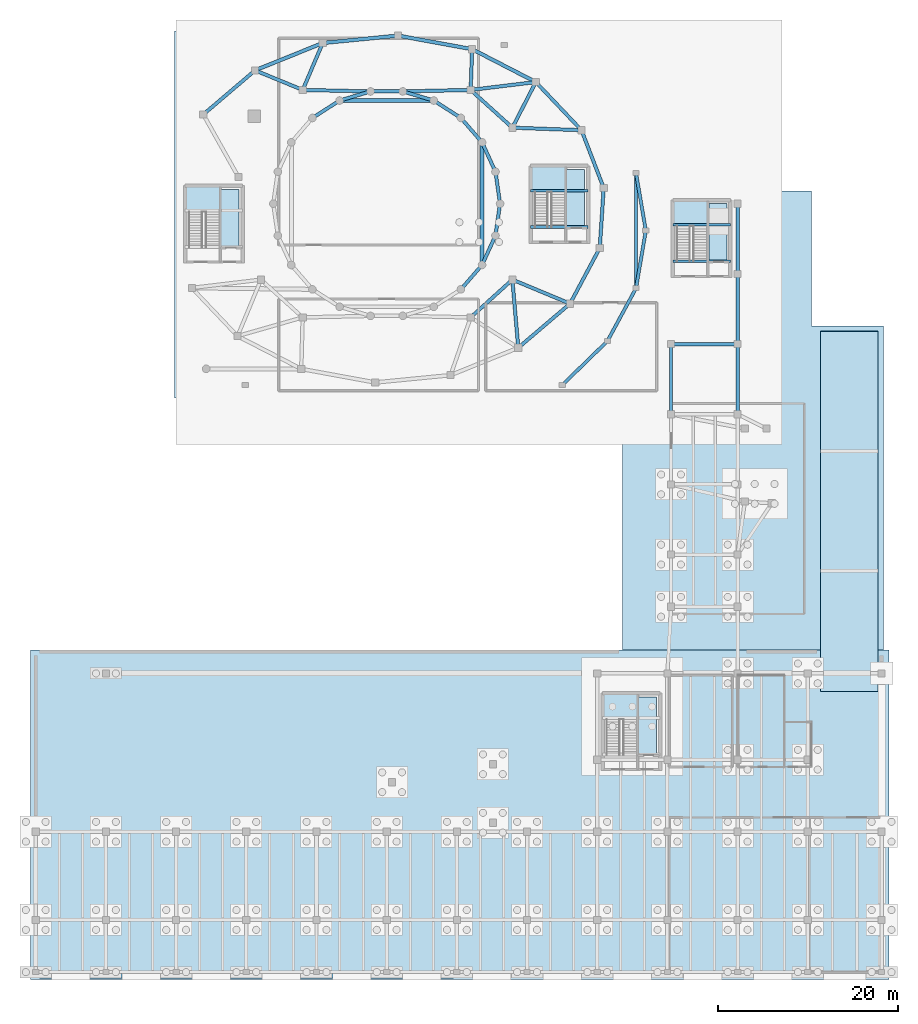
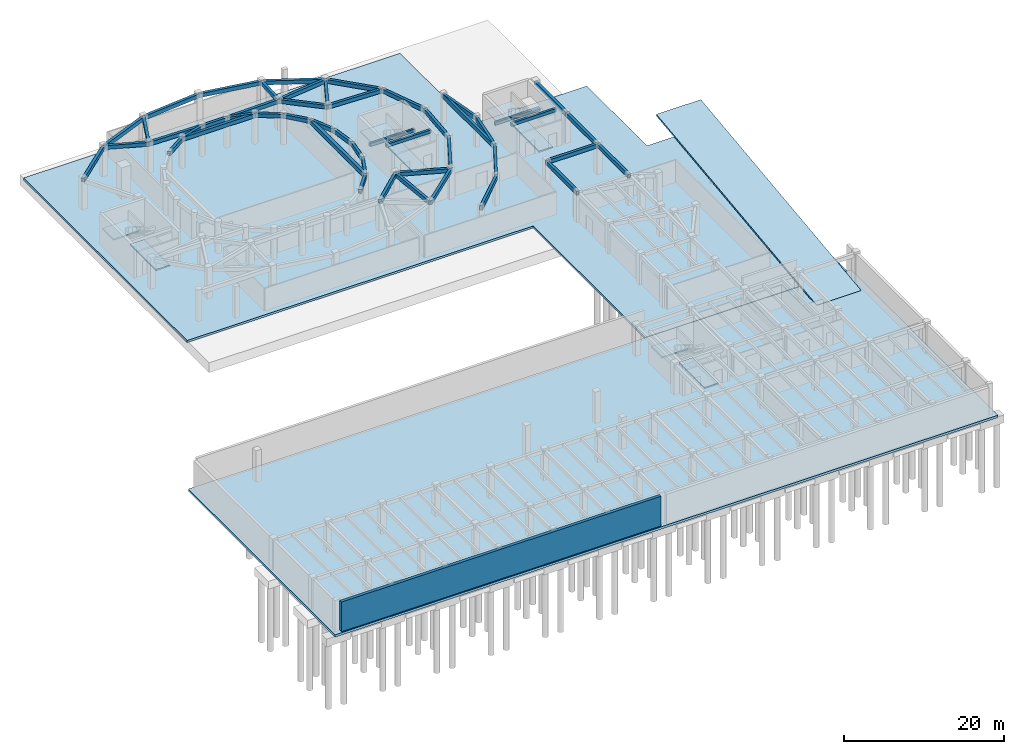
# One storey, part 5 of 11: 49 beams, 11 slabs, 1 wall, 4 elements without a shape of their own.
"""IFC4 building model written with IfcOpenShell, lengths in metres."""

from ifc_helpers import new_model, si_unit, direction, frame, frame_2d, origin, origin_2d, place, context, subcontext, project, spatial, polyline, rectangle, outline, extrude, material, layer, layer_set, material_profile, profile_set, type_object, element, aggregate, save


model = new_model("IFC4")

# Units and contexts
model_context = context("Model", 3, precision=1e-05, world=origin(), true_north=direction((0.0, 1.0)))
body_context = subcontext(model_context, "Body", "Model", "MODEL_VIEW")
ifc_project = project(units=[si_unit("LENGTHUNIT", "METRE"), si_unit("AREAUNIT", "SQUARE_METRE"), si_unit("VOLUMEUNIT", "CUBIC_METRE"), si_unit("PLANEANGLEUNIT", "RADIAN"), si_unit("MASSUNIT", "GRAM", prefix="KILO")], contexts=[model_context])

# Site, building, storey
site_placement = place(None, origin())
site = spatial("IfcSite", under=ifc_project, at=site_placement, CompositionType="ELEMENT")
building_placement = place(site_placement, origin())
building = spatial("IfcBuilding", under=site, at=building_placement, Name="Pelvatis Terrace Science Centre", CompositionType="ELEMENT")
storey_placement = place(building_placement, frame((0.0, 0.0, -4.800048828125)))
storey = spatial("IfcBuildingStorey", under=building, at=storey_placement, Name="B01", CompositionType="ELEMENT", Elevation=-4.800048828125)

# Beams
ifc_material_1 = material(Name="Concrete C35/45", Category="concrete")
ifc_material_profile_1 = material_profile(ifc_material_1, rectangle(XDim=0.300048828125, YDim=0.449951171875, at=origin_2d()), Name="RC-BM 300x450")
ifc_profile_set_1 = profile_set([ifc_material_profile_1], Name="Concrete C35/45")
beam_type_1 = type_object("IfcBeamType", Name="BM-RC-300x450", PredefinedType="BEAM", material=ifc_profile_set_1)
beam_1_placement = place(storey_placement, frame((125.199951171875, 87.25, 1.97509765625), z_axis=(1.0, 0.0, 0.0), x_axis=(0.0, 1.0, 0.0)))
element("IfcBeam", 1, at=beam_1_placement, inside=storey, type_object=beam_type_1, Name="Core C2 half-landing beam (B01)", PredefinedType="BEAM", context=body_context, shape_type="SweptSolid", body=[
    extrude(rectangle(XDim=0.300048828125, YDim=0.449951171875, at=origin_2d()), origin(), (0.0, 0.0, 1.0), 6.400146484375),
])
beam_2_placement = place(storey_placement, frame((141.0, 83.449951171875, 1.97509765625), z_axis=(1.0, 0.0, 0.0), x_axis=(0.0, 1.0, 0.0)))
element("IfcBeam", 2, at=beam_2_placement, inside=storey, type_object=beam_type_1, Name="Core C3 half-landing beam (B01)", PredefinedType="BEAM", context=body_context, shape_type="SweptSolid", body=[
    extrude(rectangle(XDim=0.300048828125, YDim=0.449951171875, at=origin_2d()), origin(), (0.0, 0.0, 1.0), 6.39990234375),
])
ifc_material_2 = material(Name="Concrete C35/45", Category="concrete")
ifc_material_profile_2 = material_profile(ifc_material_2, rectangle(XDim=0.320068359375, YDim=0.47998046875, at=origin_2d()), Name="RC-BM 320x480")
ifc_profile_set_2 = profile_set([ifc_material_profile_2], Name="Concrete C35/45")
beam_type_2 = type_object("IfcBeamType", Name="BM-RC-320x480", PredefinedType="BEAM", material=ifc_profile_set_2)
beam_3_placement = place(storey_placement, frame((125.199951171875, 83.199951171875, 4.300048828125), z_axis=(1.0, 0.0, 0.0), x_axis=(0.0, 1.0, 0.0)))
element("IfcBeam", 3, at=beam_3_placement, inside=storey, type_object=beam_type_2, Name="Core C2 stair header beam (B01)", PredefinedType="BEAM", context=body_context, shape_type="SweptSolid", body=[
    extrude(rectangle(XDim=0.320068359375, YDim=0.47998046875, at=origin_2d()), origin(), (0.0, 0.0, 1.0), 6.400146484375),
])
beam_4_placement = place(storey_placement, frame((141.0, 79.39990234375, 4.300048828125), z_axis=(1.0, 0.0, 0.0), x_axis=(0.0, 1.0, 0.0)))
element("IfcBeam", 4, at=beam_4_placement, inside=storey, type_object=beam_type_2, Name="Core C3 stair header beam (B01)", PredefinedType="BEAM", context=body_context, shape_type="SweptSolid", body=[
    extrude(rectangle(XDim=0.320068359375, YDim=0.47998046875, at=origin_2d()), origin(), (0.0, 0.0, 1.0), 6.39990234375),
])
ifc_material_3 = material(Name="Concrete C35/45", Category="concrete")
ifc_material_profile_3 = material_profile(ifc_material_3, rectangle(XDim=0.3798828125, YDim=0.580078125, at=origin_2d()), Name="RC-BM 380x580")
ifc_profile_set_3 = profile_set([ifc_material_profile_3], Name="Concrete C35/45")
beam_type_3 = type_object("IfcBeamType", Name="BM-RC-380x580", PredefinedType="BEAM", material=ifc_profile_set_3)
for number, where, z_axis, x_axis, name in (
    (5, (121.800048828125, 85.800048828125, 4.22998046875), (-0.142345759139, 0.989816995639, 0.0), (-0.989816995639, -0.142345759139, 0.0), "Beam BM-B01-2001"),
    (6, (121.800048828125, 85.800048828125, 4.22998046875), (-0.142345759139, -0.989816995639, 0.0), (0.989816995639, -0.142345759139, 0.0), "Beam BM-B01-2002"),
):
    element("IfcBeam", number, at=place(storey_placement, frame(where, z_axis=z_axis, x_axis=x_axis)), inside=storey, type_object=beam_type_3, Name=name, PredefinedType="BEAM", context=body_context, shape_type="SweptSolid", body=[
        extrude(rectangle(XDim=0.3798828125, YDim=0.580078125, at=origin_2d()), origin(), (0.0, 0.0, 1.0), 3.58642578125),
    ])
beam_5_placement = place(storey_placement, frame((121.28955078125, 89.349853515625, 4.22998046875), z_axis=(-0.41540256811, 0.909637678643, 0.0), x_axis=(-0.909637678643, -0.41540256811, 0.0)))
element("IfcBeam", 7, at=beam_5_placement, inside=storey, type_object=beam_type_3, Name="Beam BM-B01-2003", PredefinedType="BEAM", context=body_context, shape_type="SweptSolid", body=[
    extrude(rectangle(XDim=0.3798828125, YDim=0.580078125, at=origin_2d()), origin(), (0.0, 0.0, 1.0), 3.586181640625),
])
for number, where, z_axis, x_axis, name in (
    (8, (119.7998046875, 92.612060546875, 4.22998046875), (-0.654863153819, 0.755747477515, 0.0), (-0.755747477515, -0.654863153819, 0.0), "Beam BM-B01-2004"),
    (9, (117.451171875, 95.322509765625, 4.22998046875), (-0.841253667692, 0.540640607607, 0.0), (-0.540640607607, -0.841253667692, 0.0), "Beam BM-B01-2006"),
):
    element("IfcBeam", number, at=place(storey_placement, frame(where, z_axis=z_axis, x_axis=x_axis)), inside=storey, type_object=beam_type_3, Name=name, PredefinedType="BEAM", context=body_context, shape_type="SweptSolid", body=[
        extrude(rectangle(XDim=0.3798828125, YDim=0.580078125, at=origin_2d()), origin(), (0.0, 0.0, 1.0), 3.58642578125),
    ])
beam_6_placement = place(storey_placement, frame((114.43408203125, 97.261474609375, 4.22998046875), z_axis=(-0.959499815423, 0.281709254734, 0.0), x_axis=(-0.281709254734, -0.959499815423, 0.0)))
element("IfcBeam", 10, at=beam_6_placement, inside=storey, type_object=beam_type_3, Name="Beam BM-B01-2007", PredefinedType="BEAM", context=body_context, shape_type="SweptSolid", body=[
    extrude(rectangle(XDim=0.3798828125, YDim=0.580078125, at=origin_2d()), origin(), (0.0, 0.0, 1.0), 3.586181640625),
])
beam_7_placement = place(storey_placement, frame((110.9931640625, 98.271728515625, 4.22998046875), z_axis=(-1.0, 0.0, 0.0), x_axis=(0.0, -1.0, 0.0)))
element("IfcBeam", 11, at=beam_7_placement, inside=storey, type_object=beam_type_3, Name="Beam BM-B01-2009", PredefinedType="BEAM", context=body_context, shape_type="SweptSolid", body=[
    extrude(rectangle(XDim=0.3798828125, YDim=0.580078125, at=origin_2d()), origin(), (0.0, 0.0, 1.0), 3.58642578125),
])
beam_8_placement = place(storey_placement, frame((110.9931640625, 98.271728515625, 4.22998046875), z_axis=(0.999756299377, 0.022075820636, 0.0), x_axis=(-0.022075820636, 0.999756299377, 0.0)))
element("IfcBeam", 12, at=beam_8_placement, inside=storey, type_object=beam_type_3, Name="Beam BM-B01-2010", PredefinedType="BEAM", context=body_context, shape_type="SweptSolid", body=[
    extrude(rectangle(XDim=0.3798828125, YDim=0.580078125, at=origin_2d()), origin(), (0.0, 0.0, 1.0), 7.54248046875),
])
beam_9_placement = place(storey_placement, frame((107.40673828125, 98.271728515625, 4.22998046875), z_axis=(-0.959499815423, -0.281709254734, 0.0), x_axis=(0.281709254734, -0.959499815423, 0.0)))
element("IfcBeam", 13, at=beam_9_placement, inside=storey, type_object=beam_type_3, Name="Beam BM-B01-2011", PredefinedType="BEAM", context=body_context, shape_type="SweptSolid", body=[
    extrude(rectangle(XDim=0.3798828125, YDim=0.580078125, at=origin_2d()), origin(), (0.0, 0.0, 1.0), 3.586181640625),
])
beam_10_placement = place(storey_placement, frame((107.40673828125, 98.271728515625, 4.22998046875), z_axis=(-0.999756283601, 0.022076535063, 0.0), x_axis=(-0.022076535063, -0.999756283601, 0.0)))
element("IfcBeam", 14, at=beam_10_placement, inside=storey, type_object=beam_type_3, Name="Beam BM-B01-2012", PredefinedType="BEAM", context=body_context, shape_type="SweptSolid", body=[
    extrude(rectangle(XDim=0.3798828125, YDim=0.580078125, at=origin_2d()), origin(), (0.0, 0.0, 1.0), 7.542236328125),
])
beam_11_placement = place(storey_placement, frame((103.9658203125, 97.261474609375, 4.22998046875), z_axis=(-0.841253667692, -0.540640607607, 0.0), x_axis=(0.540640607607, -0.841253667692, 0.0)))
element("IfcBeam", 15, at=beam_11_placement, inside=storey, type_object=beam_type_3, Name="Beam BM-B01-2013", PredefinedType="BEAM", context=body_context, shape_type="SweptSolid", body=[
    extrude(rectangle(XDim=0.3798828125, YDim=0.580078125, at=origin_2d()), origin(), (0.0, 0.0, 1.0), 3.58642578125),
])
beam_12_placement = place(storey_placement, frame((117.451171875, 76.277587890625, 4.22998046875), z_axis=(0.654896845036, 0.755718282406, 0.0), x_axis=(-0.755718282406, 0.654896845036, 0.0)))
element("IfcBeam", 16, at=beam_12_placement, inside=storey, type_object=beam_type_3, Name="Beam BM-B01-2030", PredefinedType="BEAM", context=body_context, shape_type="SweptSolid", body=[
    extrude(rectangle(XDim=0.3798828125, YDim=0.580078125, at=origin_2d()), origin(), (0.0, 0.0, 1.0), 3.586181640625),
])
beam_13_placement = place(storey_placement, frame((119.7998046875, 78.98779296875, 4.22998046875), z_axis=(0.415376845768, 0.909649424778, 0.0), x_axis=(-0.909649424778, 0.415376845768, 0.0)))
element("IfcBeam", 17, at=beam_13_placement, inside=storey, type_object=beam_type_3, Name="Beam BM-B01-2031", PredefinedType="BEAM", context=body_context, shape_type="SweptSolid", body=[
    extrude(rectangle(XDim=0.3798828125, YDim=0.580078125, at=origin_2d()), origin(), (0.0, 0.0, 1.0), 3.58642578125),
])
beam_14_placement = place(storey_placement, frame((133.31884765625, 87.552001953125, 4.22998046875), z_axis=(-0.359224405227, 0.933251213066, 0.0), x_axis=(-0.933251213066, -0.359224405227, 0.0)))
element("IfcBeam", 18, at=beam_14_placement, inside=storey, type_object=beam_type_3, Name="Beam BM-B01-2033", PredefinedType="BEAM", context=body_context, shape_type="SweptSolid", body=[
    extrude(rectangle(XDim=0.3798828125, YDim=0.580078125, at=origin_2d()), origin(), (0.0, 0.0, 1.0), 6.868408203125),
])
beam_15_placement = place(storey_placement, frame((133.31884765625, 87.552001953125, 4.22998046875), z_axis=(-0.065837804337, -0.997830338044, 0.0), x_axis=(0.997830338044, -0.065837804337, 0.0)))
element("IfcBeam", 19, at=beam_15_placement, inside=storey, type_object=beam_type_3, Name="Beam BM-B01-2034", PredefinedType="BEAM", context=body_context, shape_type="SweptSolid", body=[
    extrude(rectangle(XDim=0.3798828125, YDim=0.580078125, at=origin_2d()), origin(), (0.0, 0.0, 1.0), 6.708251953125),
])
beam_16_placement = place(storey_placement, frame((130.8515625, 93.9619140625, 4.22998046875), z_axis=(-0.688268468455, 0.725456074019, 0.0), x_axis=(-0.725456074019, -0.688268468455, 0.0)))
element("IfcBeam", 20, at=beam_16_placement, inside=storey, type_object=beam_type_3, Name="Beam BM-B01-2035", PredefinedType="BEAM", context=body_context, shape_type="SweptSolid", body=[
    extrude(rectangle(XDim=0.3798828125, YDim=0.580078125, at=origin_2d()), origin(), (0.0, 0.0, 1.0), 7.379150390625),
])
beam_17_placement = place(storey_placement, frame((130.8515625, 93.9619140625, 4.22998046875), z_axis=(-0.999323636049, 0.036773229863, 0.0), x_axis=(-0.036773229863, -0.999323636049, 0.0)))
element("IfcBeam", 21, at=beam_17_placement, inside=storey, type_object=beam_type_3, Name="Beam BM-B01-2036", PredefinedType="BEAM", context=body_context, shape_type="SweptSolid", body=[
    extrude(rectangle(XDim=0.3798828125, YDim=0.580078125, at=origin_2d()), origin(), (0.0, 0.0, 1.0), 7.68798828125),
])
beam_18_placement = place(storey_placement, frame((125.772705078125, 99.315185546875, 4.22998046875), z_axis=(-0.456833081813, -0.88955243542, 0.0), x_axis=(0.88955243542, -0.456833081813, 0.0)))
element("IfcBeam", 22, at=beam_18_placement, inside=storey, type_object=beam_type_3, Name="Beam BM-B01-2038", PredefinedType="BEAM", context=body_context, shape_type="SweptSolid", body=[
    extrude(rectangle(XDim=0.3798828125, YDim=0.580078125, at=origin_2d()), origin(), (0.0, 0.0, 1.0), 5.7001953125),
])
beam_19_placement = place(storey_placement, frame((125.772705078125, 99.315185546875, 4.22998046875), z_axis=(-0.992742021156, -0.120263375265, 0.0), x_axis=(0.120263375265, -0.992742021156, 0.0)))
element("IfcBeam", 23, at=beam_19_placement, inside=storey, type_object=beam_type_3, Name="Beam BM-B01-2039", PredefinedType="BEAM", context=body_context, shape_type="SweptSolid", body=[
    extrude(rectangle(XDim=0.3798828125, YDim=0.580078125, at=origin_2d()), origin(), (0.0, 0.0, 1.0), 7.2919921875),
])
beam_20_placement = place(storey_placement, frame((118.69482421875, 102.9658203125, 4.22998046875), z_axis=(-0.035566590656, -0.999367308665, 0.0), x_axis=(0.999367308665, -0.035566590656, 0.0)))
element("IfcBeam", 24, at=beam_20_placement, inside=storey, type_object=beam_type_3, Name="Beam BM-B01-2041", PredefinedType="BEAM", context=body_context, shape_type="SweptSolid", body=[
    extrude(rectangle(XDim=0.3798828125, YDim=0.580078125, at=origin_2d()), origin(), (0.0, 0.0, 1.0), 4.530517578125),
])
beam_21_placement = place(storey_placement, frame((102.095458984375, 103.65673828125, 4.22998046875), z_axis=(-0.392802627851, -0.919622800692, 0.0), x_axis=(0.919622800692, -0.392802627851, 0.0)))
element("IfcBeam", 25, at=beam_21_placement, inside=storey, type_object=beam_type_3, Name="Beam BM-B01-2044", PredefinedType="BEAM", context=body_context, shape_type="SweptSolid", body=[
    extrude(rectangle(XDim=0.3798828125, YDim=0.580078125, at=origin_2d()), origin(), (0.0, 0.0, 1.0), 5.674560546875),
])
beam_22_placement = place(storey_placement, frame((94.575927734375, 100.61376953125, 4.22998046875), z_axis=(-0.761281604666, -0.64842140495, 0.0), x_axis=(0.64842140495, -0.761281604666, 0.0)))
element("IfcBeam", 26, at=beam_22_placement, inside=storey, type_object=beam_type_3, Name="Beam BM-B01-2045", PredefinedType="BEAM", context=body_context, shape_type="SweptSolid", body=[
    extrude(rectangle(XDim=0.3798828125, YDim=0.580078125, at=origin_2d()), origin(), (0.0, 0.0, 1.0), 7.560546875),
])
beam_23_placement = place(storey_placement, frame((94.575927734375, 100.61376953125, 4.22998046875), z_axis=(0.924857425054, -0.380314006214, 0.0), x_axis=(0.380314006214, 0.924857425054, 0.0)))
element("IfcBeam", 27, at=beam_23_placement, inside=storey, type_object=beam_type_3, Name="Beam BM-B01-2046", PredefinedType="BEAM", context=body_context, shape_type="SweptSolid", body=[
    extrude(rectangle(XDim=0.3798828125, YDim=0.580078125, at=origin_2d()), origin(), (0.0, 0.0, 1.0), 5.720458984375),
])
beam_24_placement = place(storey_placement, frame((123.82421875, 69.786376953125, 4.22998046875), z_axis=(0.761283967921, 0.648418630351, 0.0), x_axis=(-0.648418630351, 0.761283967921, 0.0)))
element("IfcBeam", 28, at=beam_24_placement, inside=storey, type_object=beam_type_3, Name="Beam BM-B01-2058", PredefinedType="BEAM", context=body_context, shape_type="SweptSolid", body=[
    extrude(rectangle(XDim=0.3798828125, YDim=0.580078125, at=origin_2d()), origin(), (0.0, 0.0, 1.0), 7.56005859375),
])
beam_25_placement = place(storey_placement, frame((123.82421875, 69.786376953125, 4.22998046875), z_axis=(-0.086284318335, 0.99627055382, 0.0), x_axis=(-0.99627055382, -0.086284318335, 0.0)))
element("IfcBeam", 29, at=beam_25_placement, inside=storey, type_object=beam_type_3, Name="Beam BM-B01-2060", PredefinedType="BEAM", context=body_context, shape_type="SweptSolid", body=[
    extrude(rectangle(XDim=0.3798828125, YDim=0.580078125, at=origin_2d()), origin(), (0.0, 0.0, 1.0), 7.59716796875),
])
beam_26_placement = place(storey_placement, frame((129.57958984375, 74.6884765625, 4.22998046875), z_axis=(0.471365103295, 0.881938172094, 0.0), x_axis=(-0.881938172094, 0.471365103295, 0.0)))
element("IfcBeam", 30, at=beam_26_placement, inside=storey, type_object=beam_type_3, Name="Beam BM-B01-2061", PredefinedType="BEAM", context=body_context, shape_type="SweptSolid", body=[
    extrude(rectangle(XDim=0.3798828125, YDim=0.580078125, at=origin_2d()), origin(), (0.0, 0.0, 1.0), 6.995849609375),
])
beam_27_placement = place(storey_placement, frame((129.57958984375, 74.6884765625, 4.22998046875), z_axis=(-0.923304582387, 0.384068546152, 0.0), x_axis=(-0.384068546152, -0.923304582387, 0.0)))
element("IfcBeam", 31, at=beam_27_placement, inside=storey, type_object=beam_type_3, Name="Beam BM-B01-2062", PredefinedType="BEAM", context=body_context, shape_type="SweptSolid", body=[
    extrude(rectangle(XDim=0.3798828125, YDim=0.580078125, at=origin_2d()), origin(), (0.0, 0.0, 1.0), 6.943359375),
])
for number, where, z_axis, x_axis, name in (
    (32, (123.168701171875, 94.24462890625, 4.22998046875), (-0.741533928448, 0.670915369447, 0.0), (-0.670915369447, -0.741533928448, 0.0), "Beam BM-B01-2063"),
    (33, (118.53369140625, 73.16162109375, 4.22998046875), (0.741533928448, 0.670915369447, 0.0), (-0.670915369447, 0.741533928448, 0.0), "Beam BM-B01-2065"),
):
    element("IfcBeam", number, at=place(storey_placement, frame(where, z_axis=z_axis, x_axis=x_axis)), inside=storey, type_object=beam_type_3, Name=name, PredefinedType="BEAM", context=body_context, shape_type="SweptSolid", body=[
        extrude(rectangle(XDim=0.3798828125, YDim=0.580078125, at=origin_2d()), origin(), (0.0, 0.0, 1.0), 6.25048828125),
    ])
beam_28_placement = place(storey_placement, frame((140.800048828125, 62.39990234375, 4.22998046875), z_axis=(0.0, 1.0, 0.0), x_axis=(-1.0, 0.0, 0.0)))
element("IfcBeam", 34, at=beam_28_placement, inside=storey, type_object=beam_type_3, Name="Beam BM-B01-2157", PredefinedType="BEAM", context=body_context, shape_type="SweptSolid", body=[
    extrude(rectangle(XDim=0.3798828125, YDim=0.580078125, at=origin_2d()), origin(), (0.0, 0.0, 1.0), 7.800048828125),
])
beam_29_placement = place(storey_placement, frame((140.800048828125, 70.199951171875, 4.22998046875), z_axis=(1.0, 0.0, 0.0), x_axis=(0.0, 1.0, 0.0)))
element("IfcBeam", 35, at=beam_29_placement, inside=storey, type_object=beam_type_3, Name="Beam BM-B01-2160", PredefinedType="BEAM", context=body_context, shape_type="SweptSolid", body=[
    extrude(rectangle(XDim=0.3798828125, YDim=0.580078125, at=origin_2d()), origin(), (0.0, 0.0, 1.0), 7.39990234375),
])
for number, where, z_axis, x_axis, name in (
    (36, (148.199951171875, 62.39990234375, 4.22998046875), (0.0, 1.0, 0.0), (-1.0, 0.0, 0.0), "Beam BM-B01-2166"),
    (37, (148.199951171875, 70.199951171875, 4.22998046875), (0.0, 1.0, 0.0), (-1.0, 0.0, 0.0), "Beam BM-B01-2168"),
    (38, (148.199951171875, 78.0, 4.22998046875), (0.0, 1.0, 0.0), (-1.0, 0.0, 0.0), "Beam BM-B01-2169"),
):
    element("IfcBeam", number, at=place(storey_placement, frame(where, z_axis=z_axis, x_axis=x_axis)), inside=storey, type_object=beam_type_3, Name=name, PredefinedType="BEAM", context=body_context, shape_type="SweptSolid", body=[
        extrude(rectangle(XDim=0.3798828125, YDim=0.580078125, at=origin_2d()), origin(), (0.0, 0.0, 1.0), 7.800048828125),
    ])
ifc_material_4 = material(Name="Concrete C35/45", Category="concrete")
ifc_material_profile_4 = material_profile(ifc_material_4, rectangle(XDim=0.39990234375, YDim=0.60009765625, at=origin_2d()), Name="RC-BM 400x600")
ifc_profile_set_4 = profile_set([ifc_material_profile_4], Name="Concrete C35/45")
beam_type_4 = type_object("IfcBeamType", Name="BM-RC-400x600", PredefinedType="BEAM", material=ifc_profile_set_4)
beam_30_placement = place(storey_placement, frame((114.43408203125, 97.261474609375, 4.219970703125), z_axis=(-1.0, 0.0, 0.0), x_axis=(0.0, -1.0, 0.0)))
element("IfcBeam", 39, at=beam_30_placement, inside=storey, type_object=beam_type_4, Name="Beam BM-B01-2008", PredefinedType="BEAM", context=body_context, shape_type="SweptSolid", body=[
    extrude(rectangle(XDim=0.39990234375, YDim=0.60009765625, at=origin_2d()), origin(), (0.0, 0.0, 1.0), 10.46826171875),
])
beam_31_placement = place(storey_placement, frame((125.772705078125, 99.315185546875, 4.219970703125), z_axis=(-0.888746773827, 0.458398486049, 0.0), x_axis=(-0.458398486049, -0.888746773827, 0.0)))
element("IfcBeam", 40, at=beam_31_placement, inside=storey, type_object=beam_type_4, Name="Beam BM-B01-2037", PredefinedType="BEAM", context=body_context, shape_type="SweptSolid", body=[
    extrude(rectangle(XDim=0.39990234375, YDim=0.60009765625, at=origin_2d()), origin(), (0.0, 0.0, 1.0), 7.9638671875),
])
beam_32_placement = place(storey_placement, frame((118.69482421875, 102.9658203125, 4.219970703125), z_axis=(-0.983601549943, 0.180355179991, 0.0), x_axis=(-0.180355179991, -0.983601549943, 0.0)))
element("IfcBeam", 41, at=beam_32_placement, inside=storey, type_object=beam_type_4, Name="Beam BM-B01-2040", PredefinedType="BEAM", context=body_context, shape_type="SweptSolid", body=[
    extrude(rectangle(XDim=0.39990234375, YDim=0.60009765625, at=origin_2d()), origin(), (0.0, 0.0, 1.0), 8.3603515625),
])
beam_33_placement = place(storey_placement, frame((110.4716796875, 104.4736328125, 4.219970703125), z_axis=(-0.995278052194, -0.097064920652, 0.0), x_axis=(0.097064920652, -0.995278052194, 0.0)))
element("IfcBeam", 42, at=beam_33_placement, inside=storey, type_object=beam_type_4, Name="Beam BM-B01-2042", PredefinedType="BEAM", context=body_context, shape_type="SweptSolid", body=[
    extrude(rectangle(XDim=0.39990234375, YDim=0.60009765625, at=origin_2d()), origin(), (0.0, 0.0, 1.0), 8.416015625),
])
beam_34_placement = place(storey_placement, frame((102.095458984375, 103.65673828125, 4.219970703125), z_axis=(-0.926974722929, -0.375123796967, 0.0), x_axis=(0.375123796967, -0.926974722929, 0.0)))
element("IfcBeam", 43, at=beam_34_placement, inside=storey, type_object=beam_type_4, Name="Beam BM-B01-2043", PredefinedType="BEAM", context=body_context, shape_type="SweptSolid", body=[
    extrude(rectangle(XDim=0.39990234375, YDim=0.60009765625, at=origin_2d()), origin(), (0.0, 0.0, 1.0), 8.11181640625),
])
ifc_material_5 = material(Name="Concrete C35/45", Category="concrete")
ifc_material_profile_5 = material_profile(ifc_material_5, rectangle(XDim=0.449951171875, YDim=0.64990234375, at=origin_2d()), Name="RC-BM 450x650")
ifc_profile_set_5 = profile_set([ifc_material_profile_5], Name="Concrete C35/45")
beam_type_5 = type_object("IfcBeamType", Name="BM-RC-450x650", PredefinedType="BEAM", material=ifc_profile_set_5)
beam_35_placement = place(storey_placement, frame((119.7998046875, 92.612060546875, 4.195068359375), z_axis=(0.0, -1.0, 0.0), x_axis=(1.0, 0.0, 0.0)))
element("IfcBeam", 44, at=beam_35_placement, inside=storey, type_object=beam_type_5, Name="Beam BM-B01-2005", PredefinedType="BEAM", context=body_context, shape_type="SweptSolid", body=[
    extrude(rectangle(XDim=0.449951171875, YDim=0.64990234375, at=origin_2d()), origin(), (0.0, 0.0, 1.0), 13.624267578125),
])
ifc_material_6 = material(Name="Concrete C35/45", Category="concrete")
ifc_material_profile_6 = material_profile(ifc_material_6, rectangle(XDim=0.360107421875, YDim=0.639892578125, at=origin_2d()), Name="RC-SPN 360x640")
ifc_profile_set_6 = profile_set([ifc_material_profile_6], Name="Concrete C35/45")
beam_type_6 = type_object("IfcBeamType", Name="SPN-RC-360x640", PredefinedType="SPANDREL", material=ifc_profile_set_6)
for number, where, z_axis, x_axis, name in (
    (45, (138.0, 82.800048828125, 4.199951171875), (-0.167955755204, 0.985794534522, 0.0), (-0.985794534522, -0.167955755204, 0.0), "Spandrel SP-B01-2066"),
    (46, (138.0, 82.800048828125, 4.199951171875), (-0.167955755204, -0.985794534522, 0.0), (0.985794534522, -0.167955755204, 0.0), "Spandrel SP-B01-2067"),
):
    element("IfcBeam", number, at=place(storey_placement, frame(where, z_axis=z_axis, x_axis=x_axis)), inside=storey, type_object=beam_type_6, Name=name, PredefinedType="SPANDREL", context=body_context, shape_type="SweptSolid", body=[
        extrude(rectangle(XDim=0.360107421875, YDim=0.639892578125, at=origin_2d()), origin(), (0.0, 0.0, 1.0), 6.4873046875),
    ])
beam_36_placement = place(storey_placement, frame((136.910400390625, 89.1953125, 4.199951171875), z_axis=(0.0, -1.0, 0.0), x_axis=(1.0, 0.0, 0.0)))
element("IfcBeam", 47, at=beam_36_placement, inside=storey, type_object=beam_type_6, Name="Spandrel SP-B01-2068", PredefinedType="SPANDREL", context=body_context, shape_type="SweptSolid", body=[
    extrude(rectangle(XDim=0.360107421875, YDim=0.639892578125, at=origin_2d()), origin(), (0.0, 0.0, 1.0), 12.79052734375),
])
beam_37_placement = place(storey_placement, frame((128.7158203125, 65.64453125, 4.199951171875), z_axis=(0.716393642318, 0.697696315918, 0.0), x_axis=(-0.697696315918, 0.716393642318, 0.0)))
element("IfcBeam", 48, at=beam_37_placement, inside=storey, type_object=beam_type_6, Name="Spandrel SP-B01-2069", PredefinedType="SPANDREL", context=body_context, shape_type="SweptSolid", body=[
    extrude(rectangle(XDim=0.360107421875, YDim=0.639892578125, at=origin_2d()), origin(), (0.0, 0.0, 1.0), 6.998779296875),
])
beam_38_placement = place(storey_placement, frame((133.729736328125, 70.527587890625, 4.199951171875), z_axis=(0.475957110395, 0.879468492366, 0.0), x_axis=(-0.879468492366, 0.475957110395, 0.0)))
element("IfcBeam", 49, at=beam_38_placement, inside=storey, type_object=beam_type_6, Name="Spandrel SP-B01-2070", PredefinedType="SPANDREL", context=body_context, shape_type="SweptSolid", body=[
    extrude(rectangle(XDim=0.360107421875, YDim=0.639892578125, at=origin_2d()), origin(), (0.0, 0.0, 1.0), 6.6826171875),
])

# Slabs
ifc_material_7 = material(Name="Concrete C35/45", Category="concrete")
ifc_layer_1 = layer(ifc_material_7, 0.2900390625)
ifc_layer_set_1 = layer_set([ifc_layer_1], Name="Concrete C35/45")
slab_type_1 = type_object("IfcSlabType", Name="SLB-BASE-290", PredefinedType="BASESLAB", material=ifc_layer_set_1)
slab_1_placement = place(storey_placement, frame((0.0, 0.0, -1.4150390625)))
element("IfcSlab", 50, at=slab_1_placement, inside=storey, type_object=slab_type_1, Name="Core C1 lift pit slab", PredefinedType="BASESLAB", context=body_context, shape_type="SweptSolid", body=[
    extrude(outline(polyline([(90.800048828125, 81.0), (92.800048828125, 81.0), (92.800048828125, 87.39990234375), (90.800048828125, 87.39990234375), (90.800048828125, 81.0)])), origin(), (0.0, 0.0, 1.0), 0.215087890625),
])
slab_2_placement = place(storey_placement, frame((0.0, 0.0, -1.4150390625)))
element("IfcSlab", 51, at=slab_2_placement, inside=storey, type_object=slab_type_1, Name="Core C2 lift pit slab", PredefinedType="BASESLAB", context=body_context, shape_type="SweptSolid", body=[
    extrude(outline(polyline([(129.199951171875, 83.199951171875), (131.199951171875, 83.199951171875), (131.199951171875, 89.60009765625), (129.199951171875, 89.60009765625), (129.199951171875, 83.199951171875)])), origin(), (0.0, 0.0, 1.0), 0.215087890625),
])
slab_3_placement = place(storey_placement, frame((0.0, 0.0, -1.4150390625)))
element("IfcSlab", 52, at=slab_3_placement, inside=storey, type_object=slab_type_1, Name="Core C3 lift pit slab", PredefinedType="BASESLAB", context=body_context, shape_type="SweptSolid", body=[
    extrude(outline(polyline([(145.0, 79.39990234375), (147.0, 79.39990234375), (147.0, 85.800048828125), (145.0, 85.800048828125), (145.0, 79.39990234375)])), origin(), (0.0, 0.0, 1.0), 0.215087890625),
])
slab_4_placement = place(storey_placement, frame((0.0, 0.0, -1.4150390625)))
element("IfcSlab", 53, at=slab_4_placement, inside=storey, type_object=slab_type_1, Name="Core C4 lift pit slab", PredefinedType="BASESLAB", context=body_context, shape_type="SweptSolid", body=[
    extrude(outline(polyline([(137.199951171875, 24.60009765625), (139.199951171875, 24.60009765625), (139.199951171875, 31.0), (137.199951171875, 31.0), (137.199951171875, 24.60009765625)])), origin(), (0.0, 0.0, 1.0), 0.215087890625),
])
ifc_material_8 = material(Name="Concrete C35/45", Category="concrete")
ifc_layer_2 = layer(ifc_material_8, 0.320068359375)
ifc_layer_set_2 = layer_set([ifc_layer_2], Name="Concrete C35/45")
slab_type_2 = type_object("IfcSlabType", Name="SLB-BASE-320", PredefinedType="BASESLAB", material=ifc_layer_set_2)
slab_5_placement = place(storey_placement, frame((0.0, 0.0, -0.320068359375)))
element("IfcSlab", 54, at=slab_5_placement, inside=storey, type_object=slab_type_2, Name="B01 north plant, archive and core base slab", PredefinedType="BASESLAB", context=body_context, shape_type="SweptSolid", body=[
    extrude(outline(polyline([(85.60009765625, 105.0), (139.800048828125, 105.0), (139.800048828125, 87.199951171875), (156.39990234375, 87.199951171875), (156.39990234375, 72.199951171875), (164.39990234375, 72.199951171875), (164.39990234375, 36.219970703125), (135.39990234375, 36.219970703125), (135.39990234375, 64.199951171875), (85.60009765625, 64.199951171875), (85.60009765625, 105.0)])), origin(), (0.0, 0.0, 1.0), 0.320068359375),
])
ifc_material_9 = material(Name="Concrete C35/45", Category="concrete")
ifc_layer_3 = layer(ifc_material_9, 0.35009765625)
ifc_layer_set_3 = layer_set([ifc_layer_3], Name="Concrete C35/45")
slab_type_3 = type_object("IfcSlabType", Name="SLB-BASE-350", PredefinedType="BASESLAB", material=ifc_layer_set_3)
slab_6_placement = place(storey_placement, frame((0.0, 0.0, -0.349853515625)))
element("IfcSlab", 55, at=slab_6_placement, inside=storey, type_object=slab_type_3, Name="B01 car park and loading dock base slab", PredefinedType="BASESLAB", context=body_context, shape_type="SweptSolid", body=[
    extrude(outline(polyline([(69.60009765625, -0.39990234375), (69.60009765625, 36.199951171875), (165.0, 36.199951171875), (165.0, -0.39990234375), (69.60009765625, -0.39990234375)])), origin(), (0.0, 0.0, 1.0), 0.349853515625),
])

# Stair, slab
ifc_material_10 = material(Name="Concrete C35/45", Category="concrete")
stair_type = type_object("IfcStairType", Name="STR-2RUN-1500-48", PredefinedType="TWO_STRAIGHT_RUN_STAIR", material=ifc_material_10)
stair_1_placement = place(storey_placement, origin())
stair_1 = element("IfcStair", 56, at=stair_1_placement, inside=storey, type_object=stair_type, Name="Protected core stair ST-01-B01", PredefinedType="TWO_STRAIGHT_RUN_STAIR")
ifc_material_11 = material(Name="Concrete C35/45", Category="concrete")
ifc_layer_4 = layer(ifc_material_11, 0.199951171875)
ifc_layer_set_4 = layer_set([ifc_layer_4], Name="Concrete C35/45")
slab_type_4 = type_object("IfcSlabType", Name="SLB-LND-200", PredefinedType="LANDING", material=ifc_layer_set_4)
slab_7_placement = place(storey_placement, frame((0.0, 0.0, 2.199951171875)))
slab_7 = element("IfcSlab", 57, at=slab_7_placement, type_object=slab_type_4, Name="ST-01-B01 landing 1", PredefinedType="LANDING", context=body_context, shape_type="SweptSolid", body=[
    extrude(outline(polyline([(86.929931640625, 84.89990234375), (90.64990234375, 84.89990234375), (90.64990234375, 87.669921875), (86.929931640625, 87.669921875), (86.929931640625, 84.89990234375)])), origin(), (0.0, 0.0, 1.0), 0.2001953125),
])
aggregate(stair_1, [slab_7])

stair_2_placement = place(storey_placement, origin())
stair_2 = element("IfcStair", 58, at=stair_2_placement, inside=storey, type_object=stair_type, Name="Protected core stair ST-02-B01", PredefinedType="TWO_STRAIGHT_RUN_STAIR")
slab_8_placement = place(storey_placement, frame((0.0, 0.0, 2.199951171875)))
slab_8 = element("IfcSlab", 59, at=slab_8_placement, type_object=slab_type_4, Name="ST-02-B01 landing 1", PredefinedType="LANDING", context=body_context, shape_type="SweptSolid", body=[
    extrude(outline(polyline([(125.330078125, 87.10009765625), (129.050048828125, 87.10009765625), (129.050048828125, 89.8701171875), (125.330078125, 89.8701171875), (125.330078125, 87.10009765625)])), origin(), (0.0, 0.0, 1.0), 0.2001953125),
])
aggregate(stair_2, [slab_8])

stair_3_placement = place(storey_placement, origin())
stair_3 = element("IfcStair", 60, at=stair_3_placement, inside=storey, type_object=stair_type, Name="Protected core stair ST-03-B01", PredefinedType="TWO_STRAIGHT_RUN_STAIR")
slab_9_placement = place(storey_placement, frame((0.0, 0.0, 2.199951171875)))
slab_9 = element("IfcSlab", 61, at=slab_9_placement, type_object=slab_type_4, Name="ST-03-B01 landing 1", PredefinedType="LANDING", context=body_context, shape_type="SweptSolid", body=[
    extrude(outline(polyline([(141.1298828125, 83.300048828125), (144.85009765625, 83.300048828125), (144.85009765625, 86.070068359375), (141.1298828125, 86.070068359375), (141.1298828125, 83.300048828125)])), origin(), (0.0, 0.0, 1.0), 0.2001953125),
])
aggregate(stair_3, [slab_9])

stair_4_placement = place(storey_placement, origin())
stair_4 = element("IfcStair", 62, at=stair_4_placement, inside=storey, type_object=stair_type, Name="Protected core stair ST-04-B01", PredefinedType="TWO_STRAIGHT_RUN_STAIR")
slab_10_placement = place(storey_placement, frame((0.0, 0.0, 2.199951171875)))
slab_10 = element("IfcSlab", 63, at=slab_10_placement, type_object=slab_type_4, Name="ST-04-B01 landing 1", PredefinedType="LANDING", context=body_context, shape_type="SweptSolid", body=[
    extrude(outline(polyline([(133.330078125, 28.5), (137.050048828125, 28.5), (137.050048828125, 31.27001953125), (133.330078125, 31.27001953125), (133.330078125, 28.5)])), origin(), (0.0, 0.0, 1.0), 0.2001953125),
])
aggregate(stair_4, [slab_10])

# Slab
ifc_material_12 = material(Name="Concrete C35/45", Category="concrete")
ifc_layer_5 = layer(ifc_material_12, 0.25)
ifc_layer_set_5 = layer_set([ifc_layer_5], Name="Concrete C35/45")
slab_type_5 = type_object("IfcSlabType", Name="SLB-RAMP-250", PredefinedType="FLOOR", material=ifc_layer_set_5)
slab_11_placement = place(storey_placement, frame((157.39990234375, 31.60009765625, 0.0), z_axis=(0.0, -0.119146415421, 0.99287669511), x_axis=(1.0, 0.0, 0.0)))
element("IfcSlab", 64, at=slab_11_placement, inside=storey, type_object=slab_type_5, Name="Basement Car Park Vehicle Ramp Slab RMP-V1", PredefinedType="FLOOR", context=body_context, shape_type="SweptSolid", body=[
    extrude(outline(polyline([(0.0, 0.0), (6.400146484375, 0.0), (6.400146484375, 40.28697641611224), (0.0, 40.28697641611224), (0.0, 0.0)])), origin(), (0.0, 0.0, -1.0), 0.25),
])

# Wall
ifc_material_13 = material(Name="Concrete C35/45", Category="concrete")
ifc_layer_6 = layer(ifc_material_13, 0.449951171875)
ifc_layer_set_6 = layer_set([ifc_layer_6], Name="Concrete C35/45")
wall_type = type_object("IfcWallType", Name="WL-RET-450", PredefinedType="USERDEFINED", material=ifc_layer_set_6)
wall_placement = place(storey_placement, frame((70.60009765625, 0.0, 0.0), z_axis=(0.0, 0.0, 1.0), x_axis=(1.0, 0.0, 0.0)))
element("IfcWall", 65, at=wall_placement, inside=storey, type_object=wall_type, Name="Basement retaining wall S1", ObjectType="RETAINING WALL", PredefinedType="USERDEFINED", context=body_context, shape_type="SweptSolid", body=[
    extrude(rectangle(XDim=46.0, YDim=0.449951171875, at=frame_2d((23.0, 0.0))), origin(), (0.0, 0.0, 1.0), 4.52001953125),
])

save(model, "model.ifc")
